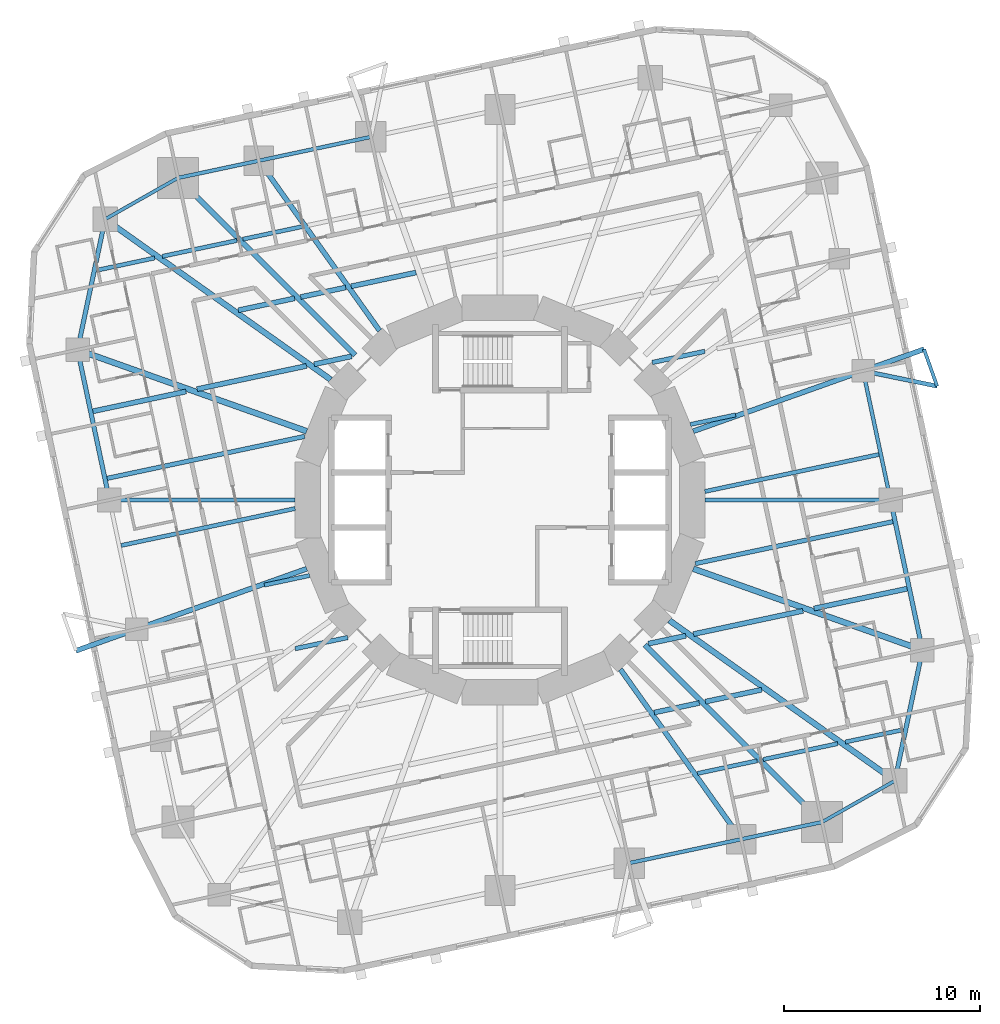
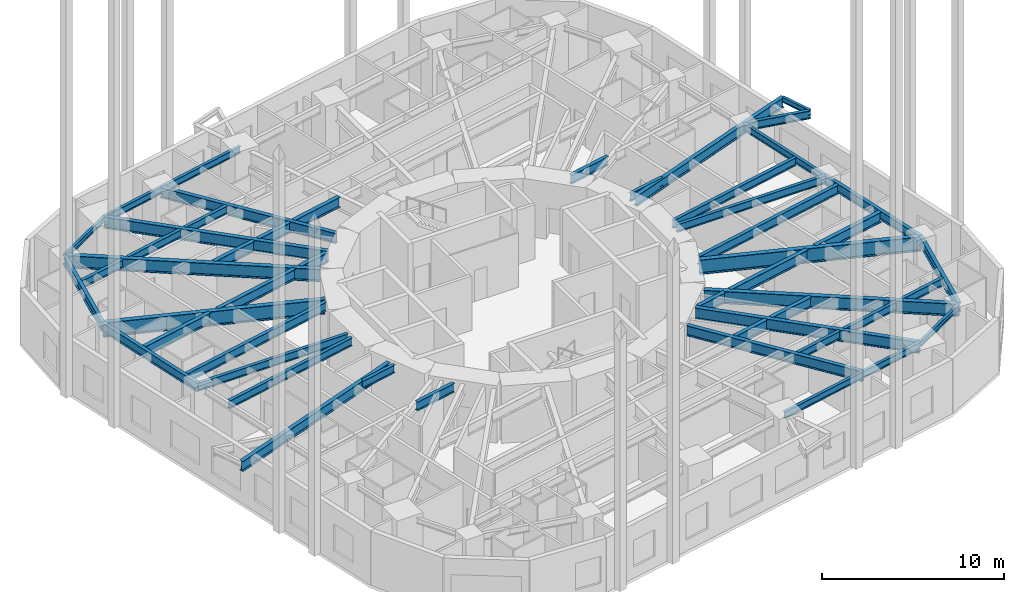
# One storey, part 2 of 12: 50 beams.
"""IFC4 building model written with IfcOpenShell, lengths in metres."""

from ifc_helpers import new_model, si_unit, direction, frame, origin, origin_2d, place, context, subcontext, project, spatial, i_section, extrude, material, material_profile, profile_set, type_object, element, save


model = new_model("IFC4")

# Units and contexts
model_context = context("Model", 3, precision=1e-05, world=origin(), true_north=direction((0.0, 1.0)))
body_context = subcontext(model_context, "Body", "Model", "MODEL_VIEW")
ifc_project = project(units=[si_unit("LENGTHUNIT", "METRE"), si_unit("AREAUNIT", "SQUARE_METRE"), si_unit("VOLUMEUNIT", "CUBIC_METRE"), si_unit("PLANEANGLEUNIT", "RADIAN"), si_unit("MASSUNIT", "GRAM", prefix="KILO")], contexts=[model_context])

# Site, building, storey
site_placement = place(None, origin())
site = spatial("IfcSite", under=ifc_project, at=site_placement, CompositionType="ELEMENT")
building_placement = place(site_placement, origin())
building = spatial("IfcBuilding", under=site, at=building_placement, Name="Nakasero Lantern House", CompositionType="ELEMENT")
storey_placement = place(building_placement, frame((0.0, 0.0, 101.14990234375)))
storey = spatial("IfcBuildingStorey", under=building, at=storey_placement, Name="L24", CompositionType="ELEMENT", Elevation=101.14990234375)

# Beams
ifc_material_1 = material(Name="Steel S355", Category="steel")
ifc_material_profile_1 = material_profile(ifc_material_1, i_section(OverallWidth=0.2138671875, OverallDepth=0.549072265625, WebThickness=0.0146484375, FlangeThickness=0.023681640625, FilletRadius=0.0126953125, at=origin_2d()), Name="UB 533x210x138")
ifc_profile_set_1 = profile_set([ifc_material_profile_1], Name="Steel S355")
beam_type_1 = type_object("IfcBeamType", Name="Balcony splay beam UB 533x210x138", PredefinedType="BEAM", material=ifc_profile_set_1)
beam_1_placement = place(storey_placement, frame((18.534912109375, 6.590087890625, 3.37548828125), z_axis=(0.979420272605, -0.201831438605, 0.0), x_axis=(0.201831438605, 0.979420272605, 0.0)))
element("IfcBeam", 1, at=beam_1_placement, inside=storey, type_object=beam_type_1, Name="Balcony splay beam L25 B3-C04A", PredefinedType="BEAM", context=body_context, shape_type="SweptSolid", body=[
    extrude(i_section(OverallWidth=0.2138671875, OverallDepth=0.549072265625, WebThickness=0.0146484375, FlangeThickness=0.023681640625, FilletRadius=0.0126953125, at=origin_2d()), origin(), (0.0, 0.0, 1.0), 3.858642578125),
])
ifc_material_2 = material(Name="Steel S355", Category="steel")
ifc_material_profile_2 = material_profile(ifc_material_2, i_section(OverallWidth=0.17138671875, OverallDepth=0.35498046875, WebThickness=0.00732421875, FlangeThickness=0.011474609375, FilletRadius=0.01025390625, at=origin_2d()), Name="UB 356x171x51")
ifc_profile_set_2 = profile_set([ifc_material_profile_2], Name="Steel S355")
beam_type_2 = type_object("IfcBeamType", Name="Balcony tie beam UB 356x171x51", PredefinedType="BEAM", material=ifc_profile_set_2)
beam_2_placement = place(storey_placement, frame((22.314208984375, 5.811279296875, 3.47265625), z_axis=(-0.335060236487, 0.942196708721, 0.0), x_axis=(-0.942196708721, -0.335060236487, 0.0)))
element("IfcBeam", 2, at=beam_2_placement, inside=storey, type_object=beam_type_2, Name="Balcony tie beam L25 B3-C04", PredefinedType="BEAM", context=body_context, shape_type="SweptSolid", body=[
    extrude(i_section(OverallWidth=0.17138671875, OverallDepth=0.35498046875, WebThickness=0.00732421875, FlangeThickness=0.011474609375, FilletRadius=0.01025390625, at=origin_2d()), origin(), (0.0, 0.0, 1.0), 2.000244140625),
])
ifc_material_3 = material(Name="Steel S355", Category="steel")
ifc_material_profile_3 = material_profile(ifc_material_3, i_section(OverallWidth=0.2099609375, OverallDepth=0.53662109375, WebThickness=0.0107421875, FlangeThickness=0.017333984375, FilletRadius=0.0126953125, at=origin_2d()), Name="UB 533x210x101")
ifc_profile_set_3 = profile_set([ifc_material_profile_3], Name="Steel S355")
beam_type_3 = type_object("IfcBeamType", Name="Infill beam UB 533x210x101", PredefinedType="JOIST", material=ifc_profile_set_3)
beam_3_placement = place(storey_placement, frame((10.0830078125, -13.958740234375, 3.3818359375), z_axis=(0.97813788874, 0.207957376908, 0.0), x_axis=(-0.207957376908, 0.97813788874, 0.0)))
element("IfcBeam", 3, at=beam_3_placement, inside=storey, type_object=beam_type_3, Name="Infill beam L25 03.5", PredefinedType="JOIST", context=body_context, shape_type="SweptSolid", body=[
    extrude(i_section(OverallWidth=0.2099609375, OverallDepth=0.53662109375, WebThickness=0.0107421875, FlangeThickness=0.017333984375, FilletRadius=0.0126953125, at=origin_2d()), origin(), (0.0, 0.0, 1.0), 3.108642578125),
])
beam_4_placement = place(storey_placement, frame((13.434814453125, -13.24609375, 3.3818359375), z_axis=(0.978152946383, 0.207886539924, 0.0), x_axis=(-0.207886539924, 0.978152946383, 0.0)))
element("IfcBeam", 4, at=beam_4_placement, inside=storey, type_object=beam_type_3, Name="Infill beam L25 03.6", PredefinedType="JOIST", context=body_context, shape_type="SweptSolid", body=[
    extrude(i_section(OverallWidth=0.2099609375, OverallDepth=0.53662109375, WebThickness=0.0107421875, FlangeThickness=0.017333984375, FilletRadius=0.0126953125, at=origin_2d()), origin(), (0.0, 0.0, 1.0), 3.888427734375),
])
beam_5_placement = place(storey_placement, frame((17.626708984375, -12.355224609375, 3.3818359375), z_axis=(0.978152299812, 0.207889582165, 0.0), x_axis=(-0.207889582165, 0.978152299812, 0.0)))
element("IfcBeam", 5, at=beam_5_placement, inside=storey, type_object=beam_type_3, Name="Infill beam L25 03.7", PredefinedType="JOIST", context=body_context, shape_type="SweptSolid", body=[
    extrude(i_section(OverallWidth=0.2099609375, OverallDepth=0.53662109375, WebThickness=0.0107421875, FlangeThickness=0.017333984375, FilletRadius=0.0126953125, at=origin_2d()), origin(), (0.0, 0.0, 1.0), 3.031005859375),
])
beam_6_placement = place(storey_placement, frame((-12.030029296875, -4.34619140625, 3.3818359375), z_axis=(0.97814938161, 0.207903312278, 0.0), x_axis=(-0.207903312278, 0.97814938161, 0.0)))
element("IfcBeam", 6, at=beam_6_placement, inside=storey, type_object=beam_type_3, Name="Infill beam L25 07.1", PredefinedType="JOIST", context=body_context, shape_type="SweptSolid", body=[
    extrude(i_section(OverallWidth=0.2099609375, OverallDepth=0.53662109375, WebThickness=0.0107421875, FlangeThickness=0.017333984375, FilletRadius=0.0126953125, at=origin_2d()), origin(), (0.0, 0.0, 1.0), 2.359130859375),
])
for number, where, z_axis, x_axis, name in (
    (7, (10.457763671875, 0.433837890625, 3.3818359375), (0.978146760676, 0.207915642939, 0.0), (-0.207915642939, 0.978146760676, 0.0), "Infill beam L25 07.2"),
    (8, (-19.34423828125, -2.32275390625, 3.3818359375), (0.978146760676, 0.207915642939, 0.0), (-0.207915642939, 0.978146760676, 0.0), "Infill beam L25 08.1"),
):
    element("IfcBeam", number, at=place(storey_placement, frame(where, z_axis=z_axis, x_axis=x_axis)), inside=storey, type_object=beam_type_3, Name=name, PredefinedType="JOIST", context=body_context, shape_type="SweptSolid", body=[
        extrude(i_section(OverallWidth=0.2099609375, OverallDepth=0.53662109375, WebThickness=0.0107421875, FlangeThickness=0.017333984375, FilletRadius=0.0126953125, at=origin_2d()), origin(), (0.0, 0.0, 1.0), 9.0849609375),
    ])
beam_7_placement = place(storey_placement, frame((9.722412109375, 3.855712890625, 3.3818359375), z_axis=(0.97814938161, 0.207903312278, 0.0), x_axis=(-0.207903312278, 0.97814938161, 0.0)))
element("IfcBeam", 9, at=beam_7_placement, inside=storey, type_object=beam_type_3, Name="Infill beam L25 08.2", PredefinedType="JOIST", context=body_context, shape_type="SweptSolid", body=[
    extrude(i_section(OverallWidth=0.2099609375, OverallDepth=0.53662109375, WebThickness=0.0107421875, FlangeThickness=0.017333984375, FilletRadius=0.0126953125, at=origin_2d()), origin(), (0.0, 0.0, 1.0), 2.359130859375),
])
beam_8_placement = place(storey_placement, frame((-20.591552734375, 11.72509765625, 3.3818359375), z_axis=(0.978152299812, 0.207889582165, 0.0), x_axis=(-0.207889582165, 0.978152299812, 0.0)))
element("IfcBeam", 10, at=beam_8_placement, inside=storey, type_object=beam_type_3, Name="Infill beam L25 12.1", PredefinedType="JOIST", context=body_context, shape_type="SweptSolid", body=[
    extrude(i_section(OverallWidth=0.2099609375, OverallDepth=0.53662109375, WebThickness=0.0107421875, FlangeThickness=0.017333984375, FilletRadius=0.0126953125, at=origin_2d()), origin(), (0.0, 0.0, 1.0), 3.031005859375),
])
beam_9_placement = place(storey_placement, frame((-17.23828125, 12.437744140625, 3.3818359375), z_axis=(0.978152946383, 0.207886539924, 0.0), x_axis=(-0.207886539924, 0.978152946383, 0.0)))
element("IfcBeam", 11, at=beam_9_placement, inside=storey, type_object=beam_type_3, Name="Infill beam L25 12.2", PredefinedType="JOIST", context=body_context, shape_type="SweptSolid", body=[
    extrude(i_section(OverallWidth=0.2099609375, OverallDepth=0.53662109375, WebThickness=0.0107421875, FlangeThickness=0.017333984375, FilletRadius=0.0126953125, at=origin_2d()), origin(), (0.0, 0.0, 1.0), 3.888427734375),
])
beam_10_placement = place(storey_placement, frame((-13.123779296875, 13.312255859375, 3.3818359375), z_axis=(0.97813788874, 0.207957376908, 0.0), x_axis=(-0.207957376908, 0.97813788874, 0.0)))
element("IfcBeam", 12, at=beam_10_placement, inside=storey, type_object=beam_type_3, Name="Infill beam L25 12.3", PredefinedType="JOIST", context=body_context, shape_type="SweptSolid", body=[
    extrude(i_section(OverallWidth=0.2099609375, OverallDepth=0.53662109375, WebThickness=0.0107421875, FlangeThickness=0.017333984375, FilletRadius=0.0126953125, at=origin_2d()), origin(), (0.0, 0.0, 1.0), 3.108642578125),
])
ifc_material_4 = material(Name="Steel S355", Category="steel")
ifc_material_profile_4 = material_profile(ifc_material_4, i_section(OverallWidth=0.2275390625, OverallDepth=0.6025390625, WebThickness=0.010498046875, FlangeThickness=0.014892578125, FilletRadius=0.0126953125, at=origin_2d()), Name="UB 610x229x101")
ifc_profile_set_4 = profile_set([ifc_material_profile_4], Name="Steel S355")
beam_type_4 = type_object("IfcBeamType", Name="Infill beam UB 610x229x101", PredefinedType="JOIST", material=ifc_profile_set_4)
beam_11_placement = place(storey_placement, frame((-10.453369140625, -7.58935546875, 3.348876953125), z_axis=(0.978139842642, 0.207948186423, 0.0), x_axis=(-0.207948186423, 0.978139842642, 0.0)))
element("IfcBeam", 13, at=beam_11_placement, inside=storey, type_object=beam_type_4, Name="Infill beam L25 06.2", PredefinedType="JOIST", context=body_context, shape_type="SweptSolid", body=[
    extrude(i_section(OverallWidth=0.2275390625, OverallDepth=0.6025390625, WebThickness=0.010498046875, FlangeThickness=0.014892578125, FilletRadius=0.0126953125, at=origin_2d()), origin(), (0.0, 0.0, 1.0), 2.74267578125),
])
for number, where, z_axis, x_axis, name in (
    (14, (9.974365234375, -3.2470703125, 3.348876953125), (0.978151564707, 0.207893040916, 0.0), (-0.207893040916, 0.978151564707, 0.0), "Infill beam L25 06.3"),
    (15, (-20.05419921875, 1.104736328125, 3.348876953125), (0.978151564707, 0.207893040916, 0.0), (-0.207893040916, 0.978151564707, 0.0), "Infill beam L25 09.1"),
):
    element("IfcBeam", number, at=place(storey_placement, frame(where, z_axis=z_axis, x_axis=x_axis)), inside=storey, type_object=beam_type_4, Name=name, PredefinedType="JOIST", context=body_context, shape_type="SweptSolid", body=[
        extrude(i_section(OverallWidth=0.2275390625, OverallDepth=0.6025390625, WebThickness=0.010498046875, FlangeThickness=0.014892578125, FilletRadius=0.0126953125, at=origin_2d()), origin(), (0.0, 0.0, 1.0), 10.304931640625),
    ])
beam_12_placement = place(storey_placement, frame((7.770751953125, 7.01904296875, 3.348876953125), z_axis=(0.978139842642, 0.207948186423, 0.0), x_axis=(-0.207948186423, 0.978139842642, 0.0)))
element("IfcBeam", 16, at=beam_12_placement, inside=storey, type_object=beam_type_4, Name="Infill beam L25 09.2", PredefinedType="JOIST", context=body_context, shape_type="SweptSolid", body=[
    extrude(i_section(OverallWidth=0.2275390625, OverallDepth=0.6025390625, WebThickness=0.010498046875, FlangeThickness=0.014892578125, FilletRadius=0.0126953125, at=origin_2d()), origin(), (0.0, 0.0, 1.0), 2.74267578125),
])
ifc_material_5 = material(Name="Steel S355", Category="steel")
ifc_material_profile_5 = material_profile(ifc_material_5, i_section(OverallWidth=0.253662109375, OverallDepth=0.68359375, WebThickness=0.012451171875, FlangeThickness=0.01904296875, FilletRadius=0.01513671875, at=origin_2d()), Name="UB 686x254x140")
ifc_profile_set_5 = profile_set([ifc_material_profile_5], Name="Steel S355")
beam_type_5 = type_object("IfcBeamType", Name="Infill beam UB 686x254x140", PredefinedType="JOIST", material=ifc_profile_set_5)
beam_13_placement = place(storey_placement, frame((7.872802734375, -10.850341796875, 3.308349609375), z_axis=(0.97813694426, 0.207961819271, 0.0), x_axis=(-0.207961819271, 0.97813694426, 0.0)))
element("IfcBeam", 17, at=beam_13_placement, inside=storey, type_object=beam_type_5, Name="Infill beam L25 04.5", PredefinedType="JOIST", context=body_context, shape_type="SweptSolid", body=[
    extrude(i_section(OverallWidth=0.253662109375, OverallDepth=0.68359375, WebThickness=0.012451171875, FlangeThickness=0.01904296875, FilletRadius=0.01513671875, at=origin_2d()), origin(), (0.0, 0.0, 1.0), 2.3515625),
])
for number, where, z_axis, x_axis, name in (
    (18, (10.48388671875, -10.295166015625, 3.308349609375), (0.978146839882, 0.207915270313, 0.0), (-0.207915270313, 0.978146839882, 0.0), "Infill beam L25 04.6"),
    (19, (-13.364501953125, 9.682861328125, 3.308349609375), (0.978146839882, 0.207915270313, 0.0), (-0.207915270313, 0.978146839882, 0.0), "Infill beam L25 11.1"),
):
    element("IfcBeam", number, at=place(storey_placement, frame(where, z_axis=z_axis, x_axis=x_axis)), inside=storey, type_object=beam_type_5, Name=name, PredefinedType="JOIST", context=body_context, shape_type="SweptSolid", body=[
        extrude(i_section(OverallWidth=0.253662109375, OverallDepth=0.68359375, WebThickness=0.012451171875, FlangeThickness=0.01904296875, FilletRadius=0.01513671875, at=origin_2d()), origin(), (0.0, 0.0, 1.0), 2.945068359375),
    ])
beam_14_placement = place(storey_placement, frame((-10.1728515625, 10.361328125, 3.308349609375), z_axis=(0.97813694426, 0.207961819271, 0.0), x_axis=(-0.207961819271, 0.97813694426, 0.0)))
element("IfcBeam", 20, at=beam_14_placement, inside=storey, type_object=beam_type_5, Name="Infill beam L25 11.2", PredefinedType="JOIST", context=body_context, shape_type="SweptSolid", body=[
    extrude(i_section(OverallWidth=0.253662109375, OverallDepth=0.68359375, WebThickness=0.012451171875, FlangeThickness=0.01904296875, FilletRadius=0.01513671875, at=origin_2d()), origin(), (0.0, 0.0, 1.0), 2.3515625),
])
beam_15_placement = place(storey_placement, frame((-7.60009765625, 10.908203125, 3.308349609375), z_axis=(0.978140889042, 0.207943264337, 0.0), x_axis=(-0.207943264337, 0.978140889042, 0.0)))
element("IfcBeam", 21, at=beam_15_placement, inside=storey, type_object=beam_type_5, Name="Infill beam L25 11.3", PredefinedType="JOIST", context=body_context, shape_type="SweptSolid", body=[
    extrude(i_section(OverallWidth=0.253662109375, OverallDepth=0.68359375, WebThickness=0.012451171875, FlangeThickness=0.01904296875, FilletRadius=0.01513671875, at=origin_2d()), origin(), (0.0, 0.0, 1.0), 3.385986328125),
])
ifc_material_6 = material(Name="Steel S355", Category="steel")
ifc_material_profile_6 = material_profile(ifc_material_6, i_section(OverallWidth=0.255859375, OverallDepth=0.69287109375, WebThickness=0.014404296875, FlangeThickness=0.023681640625, FilletRadius=0.01513671875, at=origin_2d()), Name="UB 686x254x170")
ifc_profile_set_6 = profile_set([ifc_material_profile_6], Name="Steel S355")
beam_type_6 = type_object("IfcBeamType", Name="Infill beam UB 686x254x170", PredefinedType="JOIST", material=ifc_profile_set_6)
beam_16_placement = place(storey_placement, frame((7.5771484375, -7.3349609375, 3.3037109375), z_axis=(0.978142670498, 0.207934884401, 0.0), x_axis=(-0.207934884401, 0.978142670498, 0.0)))
element("IfcBeam", 22, at=beam_16_placement, inside=storey, type_object=beam_type_6, Name="Infill beam L25 05.3", PredefinedType="JOIST", context=body_context, shape_type="SweptSolid", body=[
    extrude(i_section(OverallWidth=0.255859375, OverallDepth=0.69287109375, WebThickness=0.014404296875, FlangeThickness=0.023681640625, FilletRadius=0.01513671875, at=origin_2d()), origin(), (0.0, 0.0, 1.0), 1.9560546875),
])
beam_17_placement = place(storey_placement, frame((9.87890625, -6.845703125, 3.3037109375), z_axis=(0.978148855575, 0.207905787166, 0.0), x_axis=(-0.207905787166, 0.978148855575, 0.0)))
element("IfcBeam", 23, at=beam_17_placement, inside=storey, type_object=beam_type_6, Name="Infill beam L25 05.4", PredefinedType="JOIST", context=body_context, shape_type="SweptSolid", body=[
    extrude(i_section(OverallWidth=0.255859375, OverallDepth=0.69287109375, WebThickness=0.014404296875, FlangeThickness=0.023681640625, FilletRadius=0.01513671875, at=origin_2d()), origin(), (0.0, 0.0, 1.0), 5.711669921875),
])
for number, where, z_axis, x_axis, name in (
    (24, (16.026123046875, -5.5390625, 3.3037109375), (0.978141363358, 0.207941033198, 0.0), (-0.207941033198, 0.978141363358, 0.0), "Infill beam L25 05.5"),
    (25, (-20.78173828125, 4.528076171875, 3.3037109375), (0.978141363358, 0.207941033198, 0.0), (-0.207941033198, 0.978141363358, 0.0), "Infill beam L25 10.1"),
):
    element("IfcBeam", number, at=place(storey_placement, frame(where, z_axis=z_axis, x_axis=x_axis)), inside=storey, type_object=beam_type_6, Name=name, PredefinedType="JOIST", context=body_context, shape_type="SweptSolid", body=[
        extrude(i_section(OverallWidth=0.255859375, OverallDepth=0.69287109375, WebThickness=0.014404296875, FlangeThickness=0.023681640625, FilletRadius=0.01513671875, at=origin_2d()), origin(), (0.0, 0.0, 1.0), 4.86181640625),
    ])
beam_18_placement = place(storey_placement, frame((-15.4658203125, 5.658203125, 3.3037109375), z_axis=(0.978148855575, 0.207905787166, 0.0), x_axis=(-0.207905787166, 0.978148855575, 0.0)))
element("IfcBeam", 26, at=beam_18_placement, inside=storey, type_object=beam_type_6, Name="Infill beam L25 10.2", PredefinedType="JOIST", context=body_context, shape_type="SweptSolid", body=[
    extrude(i_section(OverallWidth=0.255859375, OverallDepth=0.69287109375, WebThickness=0.014404296875, FlangeThickness=0.023681640625, FilletRadius=0.01513671875, at=origin_2d()), origin(), (0.0, 0.0, 1.0), 5.711669921875),
])
beam_19_placement = place(storey_placement, frame((-9.490478515625, 6.92822265625, 3.3037109375), z_axis=(0.978142670498, 0.207934884401, 0.0), x_axis=(-0.207934884401, 0.978142670498, 0.0)))
element("IfcBeam", 27, at=beam_19_placement, inside=storey, type_object=beam_type_6, Name="Infill beam L25 10.3", PredefinedType="JOIST", context=body_context, shape_type="SweptSolid", body=[
    extrude(i_section(OverallWidth=0.255859375, OverallDepth=0.69287109375, WebThickness=0.014404296875, FlangeThickness=0.023681640625, FilletRadius=0.01513671875, at=origin_2d()), origin(), (0.0, 0.0, 1.0), 1.9560546875),
])
ifc_material_7 = material(Name="Steel S355", Category="steel")
ifc_material_profile_7 = material_profile(ifc_material_7, i_section(OverallWidth=0.300048828125, OverallDepth=0.97998046875, WebThickness=0.0166015625, FlangeThickness=0.02587890625, FilletRadius=0.030029296875, at=origin_2d()), Name="UB 1016x305x249")
ifc_profile_set_7 = profile_set([ifc_material_profile_7], Name="Steel S355")
beam_type_7 = type_object("IfcBeamType", Name="Primary beam UB 1016x305x249, span 12 to 15 m", PredefinedType="BEAM", material=ifc_profile_set_7)
for number, where, z_axis, x_axis, name in (
    (28, (21.5654296875, -7.667724609375, 3.16015625), (-0.942213862739, 0.335011995103, 0.0), (-0.335011995103, -0.942213862739, 0.0), "Primary beam L25 B3-C02"),
    (29, (-21.5654296875, 7.667724609375, 3.16015625), (0.942213862739, -0.335011995103, 0.0), (0.335011995103, 0.942213862739, 0.0), "Primary beam L25 B3-C14"),
):
    element("IfcBeam", number, at=place(storey_placement, frame(where, z_axis=z_axis, x_axis=x_axis)), inside=storey, type_object=beam_type_7, Name=name, PredefinedType="BEAM", context=body_context, shape_type="SweptSolid", body=[
        extrude(i_section(OverallWidth=0.300048828125, OverallDepth=0.97998046875, WebThickness=0.0166015625, FlangeThickness=0.02587890625, FilletRadius=0.030029296875, at=origin_2d()), origin(), (0.0, 0.0, 1.0), 12.41650390625),
    ])
ifc_material_8 = material(Name="Steel S355", Category="steel")
ifc_material_profile_8 = material_profile(ifc_material_8, i_section(OverallWidth=0.208740234375, OverallDepth=0.5283203125, WebThickness=0.009521484375, FlangeThickness=0.01318359375, FilletRadius=0.0126953125, at=origin_2d()), Name="UB 533x210x82")
ifc_profile_set_8 = profile_set([ifc_material_profile_8], Name="Steel S355")
beam_type_8 = type_object("IfcBeamType", Name="Primary beam UB 533x210x82, span 9 to 12 m", PredefinedType="BEAM", material=ifc_profile_set_8)
for number, where, z_axis, x_axis, name in (
    (30, (19.935546875, 0.0, 3.385986328125), (-1.0, 0.0, 0.0), (0.0, -1.0, 0.0), "Primary beam L25 B3-C03"),
    (31, (-19.935546875, 0.0, 3.385986328125), (1.0, 0.0, 0.0), (0.0, 1.0, 0.0), "Primary beam L25 B3-C15"),
):
    element("IfcBeam", number, at=place(storey_placement, frame(where, z_axis=z_axis, x_axis=x_axis)), inside=storey, type_object=beam_type_8, Name=name, PredefinedType="BEAM", context=body_context, shape_type="SweptSolid", body=[
        extrude(i_section(OverallWidth=0.208740234375, OverallDepth=0.5283203125, WebThickness=0.009521484375, FlangeThickness=0.01318359375, FilletRadius=0.0126953125, at=origin_2d()), origin(), (0.0, 0.0, 1.0), 9.477783203125),
    ])
ifc_material_9 = material(Name="Steel S355", Category="steel")
ifc_material_profile_9 = material_profile(ifc_material_9, i_section(OverallWidth=0.255859375, OverallDepth=0.69287109375, WebThickness=0.014404296875, FlangeThickness=0.023681640625, FilletRadius=0.01513671875, at=origin_2d()), Name="UB 686x254x170")
ifc_profile_set_9 = profile_set([ifc_material_profile_9], Name="Steel S355")
beam_type_9 = type_object("IfcBeamType", Name="Primary beam UB 686x254x170, span 9 to 12 m", PredefinedType="BEAM", material=ifc_profile_set_9)
beam_20_placement = place(storey_placement, frame((21.64404296875, 7.69580078125, 3.3037109375), z_axis=(-0.942210717159, -0.335020841845, 0.0), x_axis=(0.335020841845, -0.942210717159, 0.0)))
element("IfcBeam", 32, at=beam_20_placement, inside=storey, type_object=beam_type_9, Name="Primary beam L25 B3-C04", PredefinedType="BEAM", context=body_context, shape_type="SweptSolid", body=[
    extrude(i_section(OverallWidth=0.255859375, OverallDepth=0.69287109375, WebThickness=0.014404296875, FlangeThickness=0.023681640625, FilletRadius=0.01513671875, at=origin_2d()), origin(), (0.0, 0.0, 1.0), 12.5),
])
beam_21_placement = place(storey_placement, frame((-12.31494140625, 17.318115234375, 3.3037109375), z_axis=(0.579520739774, -0.814957491022, 0.0), x_axis=(0.814957491022, 0.579520739774, 0.0)))
element("IfcBeam", 33, at=beam_21_placement, inside=storey, type_object=beam_type_9, Name="Primary beam L25 B3-C11", PredefinedType="BEAM", context=body_context, shape_type="SweptSolid", body=[
    extrude(i_section(OverallWidth=0.255859375, OverallDepth=0.69287109375, WebThickness=0.014404296875, FlangeThickness=0.023681640625, FilletRadius=0.01513671875, at=origin_2d()), origin(), (0.0, 0.0, 1.0), 10.64453125),
])
beam_22_placement = place(storey_placement, frame((-21.64404296875, -7.69580078125, 3.3037109375), z_axis=(0.942210717159, 0.335020841845, 0.0), x_axis=(-0.335020841845, 0.942210717159, 0.0)))
element("IfcBeam", 34, at=beam_22_placement, inside=storey, type_object=beam_type_9, Name="Primary beam L25 B3-C16", PredefinedType="BEAM", context=body_context, shape_type="SweptSolid", body=[
    extrude(i_section(OverallWidth=0.255859375, OverallDepth=0.69287109375, WebThickness=0.014404296875, FlangeThickness=0.023681640625, FilletRadius=0.01513671875, at=origin_2d()), origin(), (0.0, 0.0, 1.0), 12.5),
])
beam_23_placement = place(storey_placement, frame((12.31494140625, -17.318115234375, 3.3037109375), z_axis=(-0.579520739774, 0.814957491022, 0.0), x_axis=(-0.814957491022, -0.579520739774, 0.0)))
element("IfcBeam", 35, at=beam_23_placement, inside=storey, type_object=beam_type_9, Name="Primary beam L25 B3-C23", PredefinedType="BEAM", context=body_context, shape_type="SweptSolid", body=[
    extrude(i_section(OverallWidth=0.255859375, OverallDepth=0.69287109375, WebThickness=0.014404296875, FlangeThickness=0.023681640625, FilletRadius=0.01513671875, at=origin_2d()), origin(), (0.0, 0.0, 1.0), 10.64453125),
])
ifc_material_10 = material(Name="Steel S355", Category="steel")
ifc_material_profile_10 = material_profile(ifc_material_10, i_section(OverallWidth=0.2666015625, OverallDepth=0.76220703125, WebThickness=0.014404296875, FlangeThickness=0.021484375, FilletRadius=0.0166015625, at=origin_2d()), Name="UB 762x267x173")
ifc_profile_set_10 = profile_set([ifc_material_profile_10], Name="Steel S355")
beam_type_10 = type_object("IfcBeamType", Name="Primary beam UB 762x267x173, span 12 to 15 m", PredefinedType="BEAM", material=ifc_profile_set_10)
for number, where, z_axis, x_axis, name in (
    (36, (-16.44091796875, 16.44091796875, 3.26904296875), (0.707106781187, -0.707106781187, 0.0), (0.707106781187, 0.707106781187, 0.0), "Primary beam L25 B3-C12"),
    (37, (16.44091796875, -16.44091796875, 3.26904296875), (-0.707106781187, 0.707106781187, 0.0), (-0.707106781187, -0.707106781187, 0.0), "Primary beam L25 B3-C24"),
):
    element("IfcBeam", number, at=place(storey_placement, frame(where, z_axis=z_axis, x_axis=x_axis)), inside=storey, type_object=beam_type_10, Name=name, PredefinedType="BEAM", context=body_context, shape_type="SweptSolid", body=[
        extrude(i_section(OverallWidth=0.2666015625, OverallDepth=0.76220703125, WebThickness=0.014404296875, FlangeThickness=0.021484375, FilletRadius=0.0166015625, at=origin_2d()), origin(), (0.0, 0.0, 1.0), 12.793212890625),
    ])
ifc_material_11 = material(Name="Steel S355", Category="steel")
ifc_material_profile_11 = material_profile(ifc_material_11, i_section(OverallWidth=0.29248046875, OverallDepth=0.8408203125, WebThickness=0.0146484375, FlangeThickness=0.02685546875, FilletRadius=0.017822265625, at=origin_2d()), Name="UB 838x292x194")
ifc_profile_set_11 = profile_set([ifc_material_profile_11], Name="Steel S355")
beam_type_11 = type_object("IfcBeamType", Name="Primary beam UB 838x292x194, span 12 to 15 m", PredefinedType="BEAM", material=ifc_profile_set_11)
for number, where, z_axis, x_axis, name in (
    (38, (20.15625, -14.33349609375, 3.229736328125), (-0.814946074386, 0.57953679421, 0.0), (-0.57953679421, -0.814946074386, 0.0), "Primary beam L25 B3-C01"),
    (39, (-20.15625, 14.33349609375, 3.229736328125), (0.814946074386, -0.57953679421, 0.0), (0.57953679421, 0.814946074386, 0.0), "Primary beam L25 B3-C13"),
):
    element("IfcBeam", number, at=place(storey_placement, frame(where, z_axis=z_axis, x_axis=x_axis)), inside=storey, type_object=beam_type_11, Name=name, PredefinedType="BEAM", context=body_context, shape_type="SweptSolid", body=[
        extrude(i_section(OverallWidth=0.29248046875, OverallDepth=0.8408203125, WebThickness=0.0146484375, FlangeThickness=0.02685546875, FilletRadius=0.017822265625, at=origin_2d()), origin(), (0.0, 0.0, 1.0), 14.127197265625),
    ])
ifc_material_12 = material(Name="Steel S355", Category="steel")
ifc_material_profile_12 = material_profile(ifc_material_12, i_section(OverallWidth=0.17138671875, OverallDepth=0.35498046875, WebThickness=0.00732421875, FlangeThickness=0.011474609375, FilletRadius=0.01025390625, at=origin_2d()), Name="UB 356x171x51")
ifc_profile_set_12 = profile_set([ifc_material_profile_12], Name="Steel S355")
beam_type_12 = type_object("IfcBeamType", Name="Ring beam UB 356x171x51", PredefinedType="BEAM", material=ifc_profile_set_12)
for number, where, z_axis, x_axis, name in (
    (40, (-16.44091796875, 16.44091796875, 3.47265625), (-0.869814536213, -0.493378832737, 0.0), (0.493378832737, -0.869814536213, 0.0), "Ring beam L25 B3-C12"),
    (41, (16.44091796875, -16.44091796875, 3.47265625), (0.869814536213, 0.493378832737, 0.0), (-0.493378832737, 0.869814536213, 0.0), "Ring beam L25 B3-C24"),
):
    element("IfcBeam", number, at=place(storey_placement, frame(where, z_axis=z_axis, x_axis=x_axis)), inside=storey, type_object=beam_type_12, Name=name, PredefinedType="BEAM", context=body_context, shape_type="SweptSolid", body=[
        extrude(i_section(OverallWidth=0.17138671875, OverallDepth=0.35498046875, WebThickness=0.00732421875, FlangeThickness=0.011474609375, FilletRadius=0.01025390625, at=origin_2d()), origin(), (0.0, 0.0, 1.0), 4.271484375),
    ])
ifc_material_13 = material(Name="Steel S355", Category="steel")
ifc_material_profile_13 = material_profile(ifc_material_13, i_section(OverallWidth=0.19140625, OverallDepth=0.4599609375, WebThickness=0.010009765625, FlangeThickness=0.01611328125, FilletRadius=0.01025390625, at=origin_2d()), Name="UB 457x191x82")
ifc_profile_set_13 = profile_set([ifc_material_profile_13], Name="Steel S355")
beam_type_13 = type_object("IfcBeamType", Name="Ring beam UB 457x191x82", PredefinedType="BEAM", material=ifc_profile_set_13)
beam_24_placement = place(storey_placement, frame((19.935546875, 0.0, 3.420166015625), z_axis=(-0.20789299389, 0.978151574702, 0.0), x_axis=(-0.978151574702, -0.20789299389, 0.0)))
element("IfcBeam", 42, at=beam_24_placement, inside=storey, type_object=beam_type_13, Name="Ring beam L25 B3-C03", PredefinedType="BEAM", context=body_context, shape_type="SweptSolid", body=[
    extrude(i_section(OverallWidth=0.19140625, OverallDepth=0.4599609375, WebThickness=0.010009765625, FlangeThickness=0.01611328125, FilletRadius=0.01025390625, at=origin_2d()), origin(), (0.0, 0.0, 1.0), 6.7373046875),
])
beam_25_placement = place(storey_placement, frame((-6.590087890625, 18.534912109375, 3.420166015625), z_axis=(-0.978149626621, -0.207902159541, 0.0), x_axis=(0.207902159541, -0.978149626621, 0.0)))
element("IfcBeam", 43, at=beam_25_placement, inside=storey, type_object=beam_type_13, Name="Ring beam L25 B3-C10", PredefinedType="BEAM", context=body_context, shape_type="SweptSolid", body=[
    extrude(i_section(OverallWidth=0.19140625, OverallDepth=0.4599609375, WebThickness=0.010009765625, FlangeThickness=0.01611328125, FilletRadius=0.01025390625, at=origin_2d()), origin(), (0.0, 0.0, 1.0), 5.852783203125),
])
beam_26_placement = place(storey_placement, frame((-12.31494140625, 17.318115234375, 3.420166015625), z_axis=(-0.978138252658, -0.207955665195, 0.0), x_axis=(0.207955665195, -0.978138252658, 0.0)))
element("IfcBeam", 44, at=beam_26_placement, inside=storey, type_object=beam_type_13, Name="Ring beam L25 B3-C11", PredefinedType="BEAM", context=body_context, shape_type="SweptSolid", body=[
    extrude(i_section(OverallWidth=0.19140625, OverallDepth=0.4599609375, WebThickness=0.010009765625, FlangeThickness=0.01611328125, FilletRadius=0.01025390625, at=origin_2d()), origin(), (0.0, 0.0, 1.0), 4.21826171875),
])
beam_27_placement = place(storey_placement, frame((6.590087890625, -18.534912109375, 3.420166015625), z_axis=(0.978149626621, 0.207902159541, 0.0), x_axis=(-0.207902159541, 0.978149626621, 0.0)))
element("IfcBeam", 45, at=beam_27_placement, inside=storey, type_object=beam_type_13, Name="Ring beam L25 B3-C22", PredefinedType="BEAM", context=body_context, shape_type="SweptSolid", body=[
    extrude(i_section(OverallWidth=0.19140625, OverallDepth=0.4599609375, WebThickness=0.010009765625, FlangeThickness=0.01611328125, FilletRadius=0.01025390625, at=origin_2d()), origin(), (0.0, 0.0, 1.0), 5.852783203125),
])
beam_28_placement = place(storey_placement, frame((12.31494140625, -17.318115234375, 3.420166015625), z_axis=(0.978138252658, 0.207955665195, 0.0), x_axis=(-0.207955665195, 0.978138252658, 0.0)))
element("IfcBeam", 46, at=beam_28_placement, inside=storey, type_object=beam_type_13, Name="Ring beam L25 B3-C23", PredefinedType="BEAM", context=body_context, shape_type="SweptSolid", body=[
    extrude(i_section(OverallWidth=0.19140625, OverallDepth=0.4599609375, WebThickness=0.010009765625, FlangeThickness=0.01611328125, FilletRadius=0.01025390625, at=origin_2d()), origin(), (0.0, 0.0, 1.0), 4.21826171875),
])
ifc_material_14 = material(Name="Steel S355", Category="steel")
ifc_material_profile_14 = material_profile(ifc_material_14, i_section(OverallWidth=0.2275390625, OverallDepth=0.6025390625, WebThickness=0.010498046875, FlangeThickness=0.014892578125, FilletRadius=0.0126953125, at=origin_2d()), Name="UB 610x229x101")
ifc_profile_set_14 = profile_set([ifc_material_profile_14], Name="Steel S355")
beam_type_14 = type_object("IfcBeamType", Name="Ring beam UB 610x229x101", PredefinedType="BEAM", material=ifc_profile_set_14)
beam_29_placement = place(storey_placement, frame((20.15625, -14.33349609375, 3.348876953125), z_axis=(0.206833925052, 0.978376066473, 0.0), x_axis=(-0.978376066473, 0.206833925052, 0.0)))
element("IfcBeam", 47, at=beam_29_placement, inside=storey, type_object=beam_type_14, Name="Ring beam L25 B3-C01", PredefinedType="BEAM", context=body_context, shape_type="SweptSolid", body=[
    extrude(i_section(OverallWidth=0.2275390625, OverallDepth=0.6025390625, WebThickness=0.010498046875, FlangeThickness=0.014892578125, FilletRadius=0.0126953125, at=origin_2d()), origin(), (0.0, 0.0, 1.0), 6.81298828125),
])
beam_30_placement = place(storey_placement, frame((21.5654296875, -7.667724609375, 3.348876953125), z_axis=(-0.207918725139, 0.978146105516, 0.0), x_axis=(-0.978146105516, -0.207918725139, 0.0)))
element("IfcBeam", 48, at=beam_30_placement, inside=storey, type_object=beam_type_14, Name="Ring beam L25 B3-C02", PredefinedType="BEAM", context=body_context, shape_type="SweptSolid", body=[
    extrude(i_section(OverallWidth=0.2275390625, OverallDepth=0.6025390625, WebThickness=0.010498046875, FlangeThickness=0.014892578125, FilletRadius=0.0126953125, at=origin_2d()), origin(), (0.0, 0.0, 1.0), 7.839111328125),
])
beam_31_placement = place(storey_placement, frame((-20.15625, 14.33349609375, 3.348876953125), z_axis=(-0.206833925052, -0.978376066473, 0.0), x_axis=(0.978376066473, -0.206833925052, 0.0)))
element("IfcBeam", 49, at=beam_31_placement, inside=storey, type_object=beam_type_14, Name="Ring beam L25 B3-C13", PredefinedType="BEAM", context=body_context, shape_type="SweptSolid", body=[
    extrude(i_section(OverallWidth=0.2275390625, OverallDepth=0.6025390625, WebThickness=0.010498046875, FlangeThickness=0.014892578125, FilletRadius=0.0126953125, at=origin_2d()), origin(), (0.0, 0.0, 1.0), 6.81298828125),
])
beam_32_placement = place(storey_placement, frame((-21.5654296875, 7.667724609375, 3.348876953125), z_axis=(0.207918725139, -0.978146105516, 0.0), x_axis=(0.978146105516, 0.207918725139, 0.0)))
element("IfcBeam", 50, at=beam_32_placement, inside=storey, type_object=beam_type_14, Name="Ring beam L25 B3-C14", PredefinedType="BEAM", context=body_context, shape_type="SweptSolid", body=[
    extrude(i_section(OverallWidth=0.2275390625, OverallDepth=0.6025390625, WebThickness=0.010498046875, FlangeThickness=0.014892578125, FilletRadius=0.0126953125, at=origin_2d()), origin(), (0.0, 0.0, 1.0), 7.839111328125),
])

save(model, "model.ifc")
